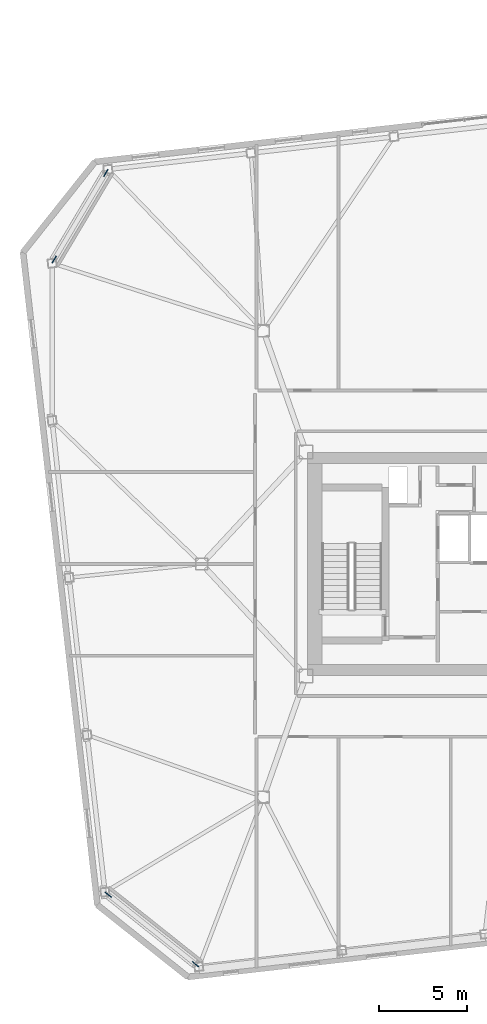
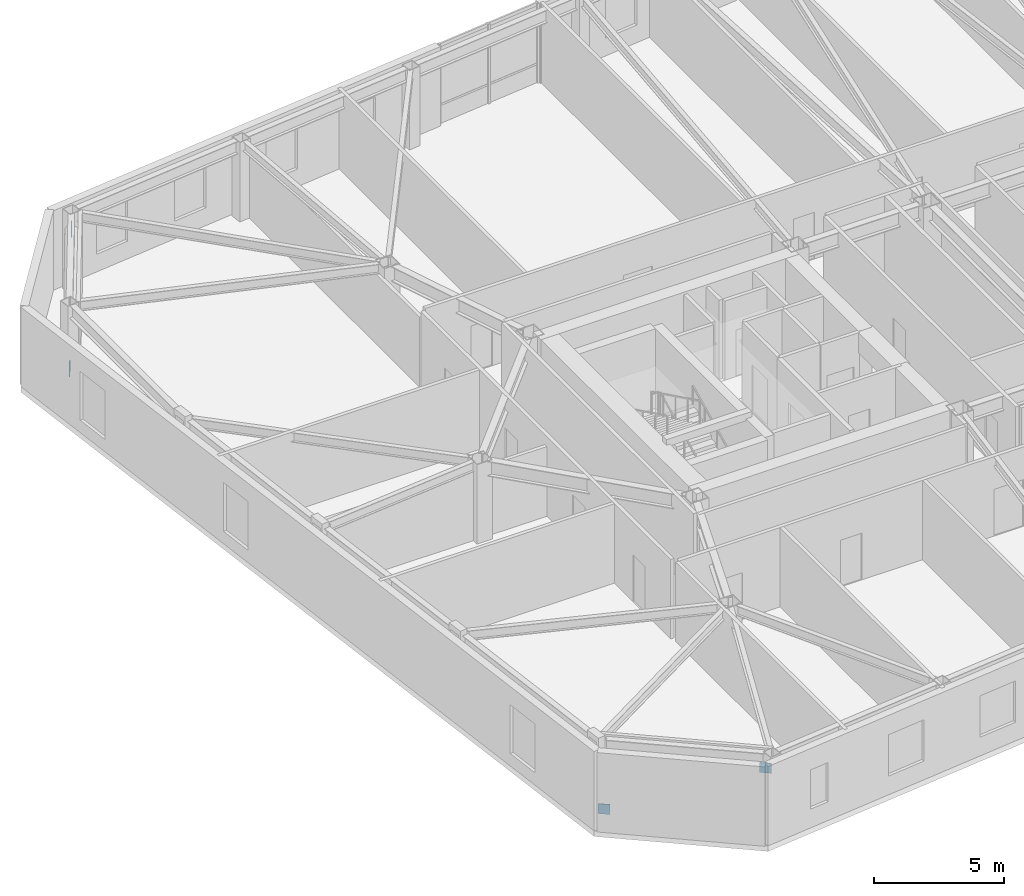
# One storey, part 19 of 21: 4 discrete accessories.
"""IFC4 building model written with IfcOpenShell, lengths in metres."""

from ifc_helpers import new_model, si_unit, direction, frame, origin, origin_2d, place, context, subcontext, project, spatial, rectangle, extrude, material, type_object, element, save


model = new_model("IFC4")

# Units and contexts
model_context = context("Model", 3, precision=1e-05, world=origin(), true_north=direction((0.0, 1.0)))
body_context = subcontext(model_context, "Body", "Model", "MODEL_VIEW")
ifc_project = project(units=[si_unit("LENGTHUNIT", "METRE"), si_unit("AREAUNIT", "SQUARE_METRE"), si_unit("VOLUMEUNIT", "CUBIC_METRE"), si_unit("PLANEANGLEUNIT", "RADIAN"), si_unit("MASSUNIT", "GRAM", prefix="KILO")], contexts=[model_context])

# Site, building, storey
site_placement = place(None, origin())
site = spatial("IfcSite", under=ifc_project, at=site_placement, CompositionType="ELEMENT")
building_placement = place(site_placement, origin())
building = spatial("IfcBuilding", under=site, at=building_placement, Name="Tavrogorsk Clinical Tower", CompositionType="ELEMENT")
storey_placement = place(building_placement, frame((0.0, 0.0, 247.0)))
storey = spatial("IfcBuildingStorey", under=building, at=storey_placement, Name="L57", CompositionType="ELEMENT", Elevation=247.0)

# Discrete accessories
ifc_material = material(Name="Structural steel S440", Category="steel")
discrete_accessory_type = type_object("IfcDiscreteAccessoryType", Name="GussetPlateBracket_25", PredefinedType="BRACKET", material=ifc_material)
for number, where, z_axis, x_axis, name in (
    (1, (-36.349853515625, 17.23486328125, 0.17626953125), (0.0, 0.0, 1.0), (0.511443073004, 0.859317160934, 0.0), "L57 Brace Gusset Plate EXOCRN-L57-3-A"),
    (2, (-33.428955078125, 22.143310546875, 2.75390625), (0.0, 0.0, 1.0), (0.511443073004, 0.859317160934, 0.0), "L57 Brace Gusset Plate EXOCRN-L57-3-B"),
    (3, (-33.29052734375, -18.725341796875, 0.168212890625), (0.0, 0.0, 1.0), (0.782608156852, -0.622514636638, 0.0), "L57 Brace Gusset Plate EXOCRN-L57-4-A"),
    (4, (-28.3515625, -22.654052734375, 2.761962890625), (0.0, 0.0, 1.0), (0.782608156852, -0.622514636638, 0.0), "L57 Brace Gusset Plate EXOCRN-L57-4-B"),
):
    element("IfcDiscreteAccessory", number, at=place(storey_placement, frame(where, z_axis=z_axis, x_axis=x_axis)), inside=storey, type_object=discrete_accessory_type, Name=name, PredefinedType="BRACKET", context=body_context, shape_type="SweptSolid", body=[
        extrude(rectangle(XDim=0.4599609375, YDim=0.0400390625, at=origin_2d()), origin(), (0.0, 0.0, 1.0), 0.4599609375),
    ])

save(model, "model.ifc")
